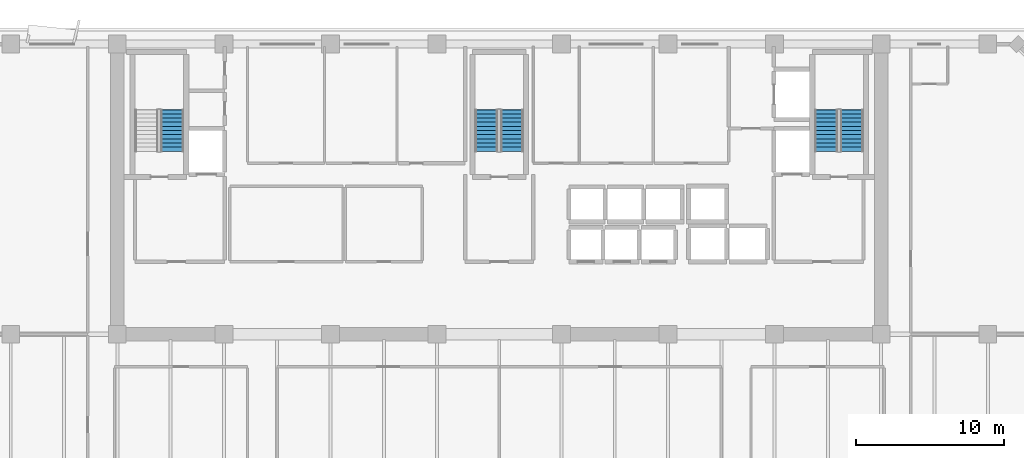
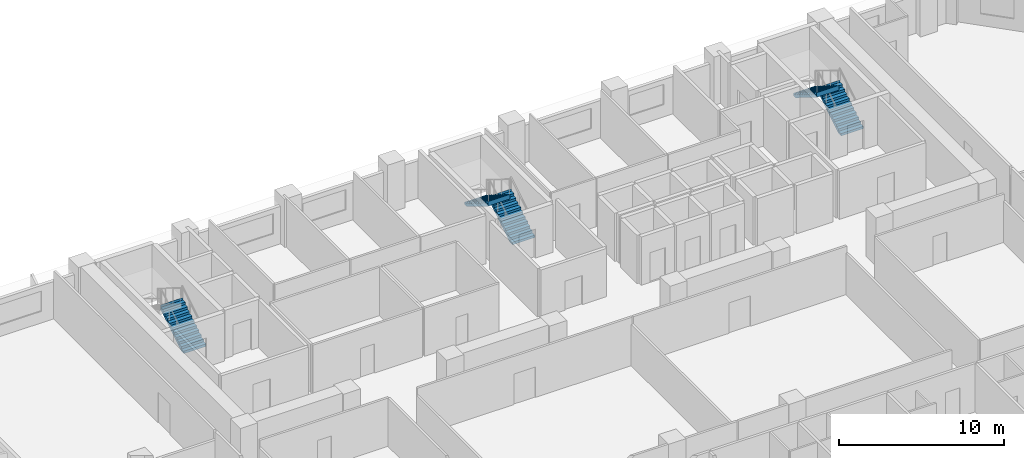
# One storey, part 10 of 15: 5 stair flights, 3 elements without a shape of their own.
"""IFC4 building model written with IfcOpenShell, lengths in metres."""

from ifc_helpers import new_model, si_unit, direction, frame, origin, place, context, subcontext, project, spatial, polyline, outline, extrude, material, type_object, element, aggregate, save


model = new_model("IFC4")

# Units and contexts
model_context = context("Model", 3, precision=1e-05, world=origin(), true_north=direction((0.0, 1.0)))
body_context = subcontext(model_context, "Body", "Model", "MODEL_VIEW")
ifc_project = project(units=[si_unit("LENGTHUNIT", "METRE"), si_unit("AREAUNIT", "SQUARE_METRE"), si_unit("VOLUMEUNIT", "CUBIC_METRE"), si_unit("PLANEANGLEUNIT", "RADIAN"), si_unit("MASSUNIT", "GRAM", prefix="KILO")], contexts=[model_context])

# Site, building, storey
site_placement = place(None, origin())
site = spatial("IfcSite", under=ifc_project, at=site_placement, CompositionType="ELEMENT")
building_placement = place(site_placement, origin())
building = spatial("IfcBuilding", under=site, at=building_placement, Name="Kaelvorn Grand Hotel", CompositionType="ELEMENT")
storey_placement = place(building_placement, frame((0.0, 0.0, 158.14990234375)))
storey = spatial("IfcBuildingStorey", under=building, at=storey_placement, Name="L38", CompositionType="ELEMENT", Elevation=158.14990234375)

# Stair, stair flight
ifc_material = material(Name="Concrete C40/50", Category="concrete")
stair_type = type_object("IfcStairType", Name="STR-DOG-1560-R08", PredefinedType="HALF_TURN_STAIR", material=ifc_material)
stair_1_placement = place(storey_placement, origin())
stair_1 = element("IfcStair", 1, at=stair_1_placement, inside=storey, type_object=stair_type, Name="L38 West Core Exit Stair ST1", PredefinedType="HALF_TURN_STAIR")
stair_flight_type = type_object("IfcStairFlightType", Name="FLG-DOG-1560-R08", PredefinedType="STRAIGHT", material=ifc_material)
stair_flight_1_placement = place(storey_placement, frame((19.89990234375, 41.760009765625, 0.0), z_axis=(0.0, 0.0, 1.0), x_axis=(0.0, 1.0, 0.0)))
stair_flight_1 = element("IfcStairFlight", 2, at=stair_flight_1_placement, type_object=stair_flight_type, Name="ST1 flight 1", NumberOfRisers=11, NumberOfTreads=10, PredefinedType="STRAIGHT", RiserHeight=0.172727273, TreadLength=0.28, context=body_context, shape_type="SweptSolid", body=[
    extrude(outline(polyline([(-0.0048828125, 0.0), (-0.0048828125, 0.0400390625), (0.0, 0.172607421875), (0.280029296875, 0.172607421875), (0.280029296875, 0.345458984375), (0.56005859375, 0.345458984375), (0.56005859375, 0.51806640625), (0.840087890625, 0.51806640625), (0.840087890625, 0.69091796875), (1.1201171875, 0.69091796875), (1.1201171875, 0.863525390625), (1.39990234375, 0.863525390625), (1.39990234375, 1.036376953125), (1.679931640625, 1.036376953125), (1.679931640625, 1.208984375), (1.9599609375, 1.208984375), (1.9599609375, 1.3818359375), (2.239990234375, 1.3818359375), (2.239990234375, 1.554443359375), (2.52001953125, 1.554443359375), (2.52001953125, 1.727294921875), (2.800048828125, 1.727294921875), (2.800048828125, 1.89990234375), (2.804931640625, 1.89990234375), (2.804931640625, 1.551025390625), (0.285400390625, 0.0), (-0.0048828125, 0.0)])), frame((0.0, 0.780029296875, 0.0), z_axis=(0.0, -1.0, 0.0), x_axis=(1.0, 0.0, 0.0)), (0.0, 0.0, 1.0), 1.56005859375),
])
aggregate(stair_1, [stair_flight_1])

# Stair, stair flights
stair_2_placement = place(storey_placement, origin())
stair_2 = element("IfcStair", 3, at=stair_2_placement, inside=storey, type_object=stair_type, Name="L38 Central Core Exit Stair ST2", PredefinedType="HALF_TURN_STAIR")
stair_flight_2_placement = place(storey_placement, frame((42.860107421875, 41.760009765625, 0.0), z_axis=(0.0, 0.0, 1.0), x_axis=(0.0, 1.0, 0.0)))
stair_flight_2 = element("IfcStairFlight", 4, at=stair_flight_2_placement, type_object=stair_flight_type, Name="ST2 flight 1", NumberOfRisers=11, NumberOfTreads=10, PredefinedType="STRAIGHT", RiserHeight=0.172727273, TreadLength=0.28, context=body_context, shape_type="SweptSolid", body=[
    extrude(outline(polyline([(-0.0048828125, 0.0), (-0.0048828125, 0.0400390625), (0.0, 0.172607421875), (0.280029296875, 0.172607421875), (0.280029296875, 0.345458984375), (0.56005859375, 0.345458984375), (0.56005859375, 0.51806640625), (0.840087890625, 0.51806640625), (0.840087890625, 0.69091796875), (1.1201171875, 0.69091796875), (1.1201171875, 0.863525390625), (1.39990234375, 0.863525390625), (1.39990234375, 1.036376953125), (1.679931640625, 1.036376953125), (1.679931640625, 1.208984375), (1.9599609375, 1.208984375), (1.9599609375, 1.3818359375), (2.239990234375, 1.3818359375), (2.239990234375, 1.554443359375), (2.52001953125, 1.554443359375), (2.52001953125, 1.727294921875), (2.800048828125, 1.727294921875), (2.800048828125, 1.89990234375), (2.804931640625, 1.89990234375), (2.804931640625, 1.551025390625), (0.285400390625, 0.0), (-0.0048828125, 0.0)])), frame((0.0, 0.780029296875, 0.0), z_axis=(0.0, -1.0, 0.0), x_axis=(1.0, 0.0, 0.0)), (0.0, 0.0, 1.0), 1.56005859375),
])
stair_flight_3_placement = place(storey_placement, frame((41.139892578125, 44.56005859375, 1.900146484375), z_axis=(0.0, 0.0, 1.0), x_axis=(0.0, -1.0, 0.0)))
stair_flight_3 = element("IfcStairFlight", 5, at=stair_flight_3_placement, type_object=stair_flight_type, Name="ST2 flight 2", NumberOfRisers=11, NumberOfTreads=10, PredefinedType="STRAIGHT", RiserHeight=0.172727273, TreadLength=0.28, context=body_context, shape_type="SweptSolid", body=[
    extrude(outline(polyline([(-0.0048828125, 0.0), (-0.0048828125, 0.0400390625), (0.0, 0.172607421875), (0.280029296875, 0.172607421875), (0.280029296875, 0.345458984375), (0.56005859375, 0.345458984375), (0.56005859375, 0.51806640625), (0.840087890625, 0.51806640625), (0.840087890625, 0.69091796875), (1.1201171875, 0.69091796875), (1.1201171875, 0.863525390625), (1.39990234375, 0.863525390625), (1.39990234375, 1.036376953125), (1.679931640625, 1.036376953125), (1.679931640625, 1.208984375), (1.9599609375, 1.208984375), (1.9599609375, 1.3818359375), (2.239990234375, 1.3818359375), (2.239990234375, 1.554443359375), (2.52001953125, 1.554443359375), (2.52001953125, 1.727294921875), (2.800048828125, 1.727294921875), (2.800048828125, 1.89990234375), (2.804931640625, 1.89990234375), (2.804931640625, 1.551025390625), (0.285400390625, 0.0), (-0.0048828125, 0.0)])), frame((0.0, 0.780029296875, 0.0), z_axis=(0.0, -1.0, 0.0), x_axis=(1.0, 0.0, 0.0)), (0.0, 0.0, 1.0), 1.56005859375),
])
aggregate(stair_2, [stair_flight_2, stair_flight_3])

stair_3_placement = place(storey_placement, origin())
stair_3 = element("IfcStair", 6, at=stair_3_placement, inside=storey, type_object=stair_type, Name="L38 East Core Exit Stair ST3", PredefinedType="HALF_TURN_STAIR")
stair_flight_4_placement = place(storey_placement, frame((65.820068359375, 41.760009765625, 0.0), z_axis=(0.0, 0.0, 1.0), x_axis=(0.0, 1.0, 0.0)))
stair_flight_4 = element("IfcStairFlight", 7, at=stair_flight_4_placement, type_object=stair_flight_type, Name="ST3 flight 1", NumberOfRisers=11, NumberOfTreads=10, PredefinedType="STRAIGHT", RiserHeight=0.172727273, TreadLength=0.28, context=body_context, shape_type="SweptSolid", body=[
    extrude(outline(polyline([(-0.0048828125, 0.0), (-0.0048828125, 0.0400390625), (0.0, 0.172607421875), (0.280029296875, 0.172607421875), (0.280029296875, 0.345458984375), (0.56005859375, 0.345458984375), (0.56005859375, 0.51806640625), (0.840087890625, 0.51806640625), (0.840087890625, 0.69091796875), (1.1201171875, 0.69091796875), (1.1201171875, 0.863525390625), (1.39990234375, 0.863525390625), (1.39990234375, 1.036376953125), (1.679931640625, 1.036376953125), (1.679931640625, 1.208984375), (1.9599609375, 1.208984375), (1.9599609375, 1.3818359375), (2.239990234375, 1.3818359375), (2.239990234375, 1.554443359375), (2.52001953125, 1.554443359375), (2.52001953125, 1.727294921875), (2.800048828125, 1.727294921875), (2.800048828125, 1.89990234375), (2.804931640625, 1.89990234375), (2.804931640625, 1.551025390625), (0.285400390625, 0.0), (-0.0048828125, 0.0)])), frame((0.0, 0.780029296875, 0.0), z_axis=(0.0, -1.0, 0.0), x_axis=(1.0, 0.0, 0.0)), (0.0, 0.0, 1.0), 1.56005859375),
])
stair_flight_5_placement = place(storey_placement, frame((64.10009765625, 44.56005859375, 1.900146484375), z_axis=(0.0, 0.0, 1.0), x_axis=(0.0, -1.0, 0.0)))
stair_flight_5 = element("IfcStairFlight", 8, at=stair_flight_5_placement, type_object=stair_flight_type, Name="ST3 flight 2", NumberOfRisers=11, NumberOfTreads=10, PredefinedType="STRAIGHT", RiserHeight=0.172727273, TreadLength=0.28, context=body_context, shape_type="SweptSolid", body=[
    extrude(outline(polyline([(-0.0048828125, 0.0), (-0.0048828125, 0.0400390625), (0.0, 0.172607421875), (0.280029296875, 0.172607421875), (0.280029296875, 0.345458984375), (0.56005859375, 0.345458984375), (0.56005859375, 0.51806640625), (0.840087890625, 0.51806640625), (0.840087890625, 0.69091796875), (1.1201171875, 0.69091796875), (1.1201171875, 0.863525390625), (1.39990234375, 0.863525390625), (1.39990234375, 1.036376953125), (1.679931640625, 1.036376953125), (1.679931640625, 1.208984375), (1.9599609375, 1.208984375), (1.9599609375, 1.3818359375), (2.239990234375, 1.3818359375), (2.239990234375, 1.554443359375), (2.52001953125, 1.554443359375), (2.52001953125, 1.727294921875), (2.800048828125, 1.727294921875), (2.800048828125, 1.89990234375), (2.804931640625, 1.89990234375), (2.804931640625, 1.551025390625), (0.285400390625, 0.0), (-0.0048828125, 0.0)])), frame((0.0, 0.780029296875, 0.0), z_axis=(0.0, -1.0, 0.0), x_axis=(1.0, 0.0, 0.0)), (0.0, 0.0, 1.0), 1.56005859375),
])
aggregate(stair_3, [stair_flight_4, stair_flight_5])

save(model, "model.ifc")
